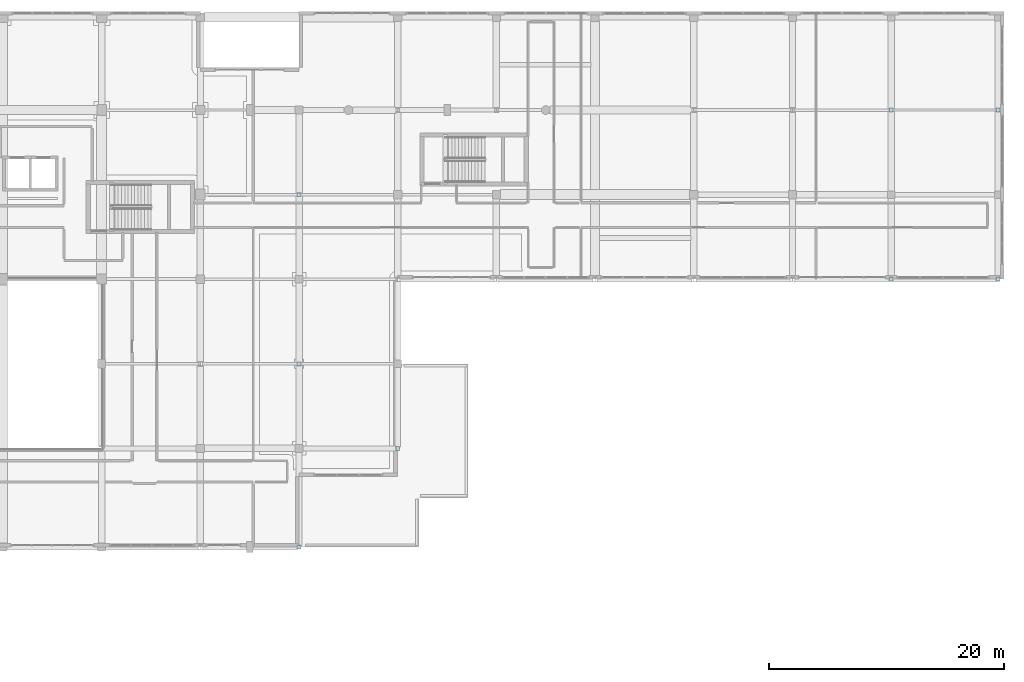
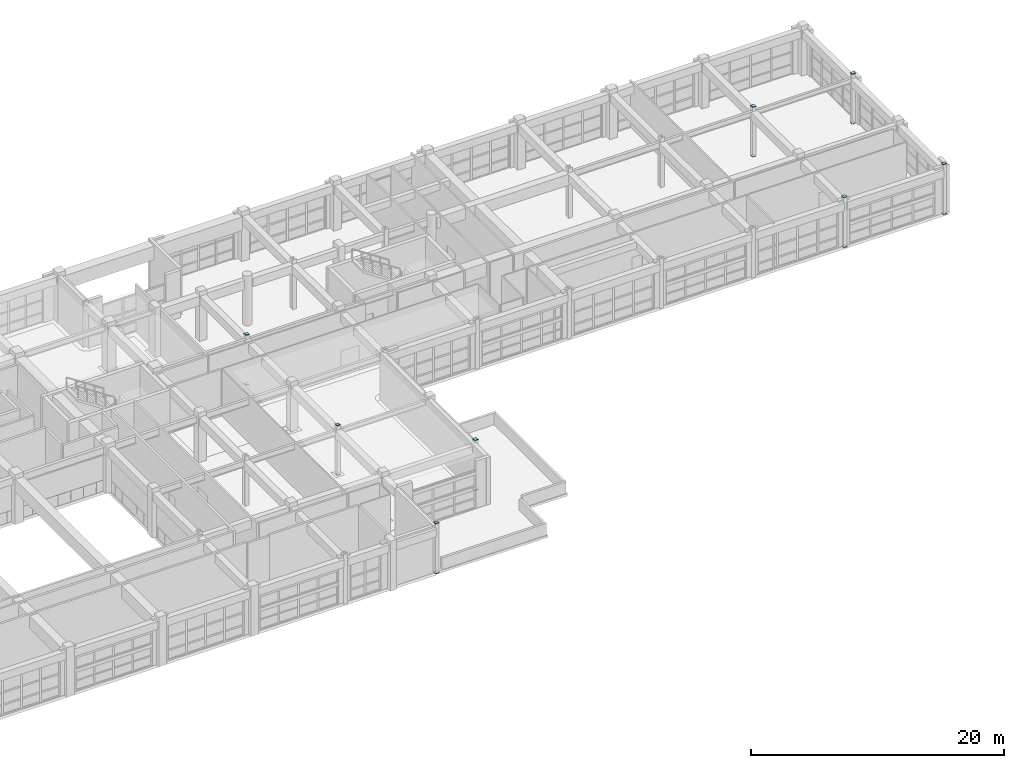
# One storey, part 102 of 123: 16 plates.
"""IFC4 building model written with IfcOpenShell, lengths in metres."""

from ifc_helpers import new_model, si_unit, direction, frame, origin, origin_2d, place, context, subcontext, project, spatial, rectangle, extrude, material, layer, layer_set, type_object, element, save


model = new_model("IFC4")

# Units and contexts
model_context = context("Model", 3, precision=1e-05, world=origin(), true_north=direction((0.0, 1.0)))
body_context = subcontext(model_context, "Body", "Model", "MODEL_VIEW")
ifc_project = project(units=[si_unit("LENGTHUNIT", "METRE"), si_unit("AREAUNIT", "SQUARE_METRE"), si_unit("VOLUMEUNIT", "CUBIC_METRE"), si_unit("PLANEANGLEUNIT", "RADIAN"), si_unit("MASSUNIT", "GRAM", prefix="KILO")], contexts=[model_context])

# Site, building, storey
site_placement = place(None, origin())
site = spatial("IfcSite", under=ifc_project, at=site_placement, CompositionType="ELEMENT")
building_placement = place(site_placement, origin())
building = spatial("IfcBuilding", under=site, at=building_placement, Name="Quendrovan Civic Courthouse", CompositionType="ELEMENT")
storey_placement = place(building_placement, frame((0.0, 0.0, 5.39990234375)))
storey = spatial("IfcBuildingStorey", under=building, at=storey_placement, Name="L02", CompositionType="ELEMENT", Elevation=5.39990234375)

# Plates
ifc_material = material(Name="Steel ASTM A572 Grade 50", Category="steel")
ifc_layer = layer(ifc_material, 0.011962890625, Name="Steel ASTM A572 Grade 50")
ifc_layer_set = layer_set([ifc_layer], Name="Steel ASTM A572 Grade 50")
plate_type = type_object("IfcPlateType", Name="PLT-CAP-12", PredefinedType="SHEET", material=ifc_layer_set)
for number, where, z_axis, x_axis, name in (
    (1, (100.800048828125, 64.800048828125, 4.80029296875), (0.0, 0.0, 1.0), (1.0, 0.0, 0.0), "L02 Hollow Column End Cap Plate COL-L02-13-J-TOP"),
    (2, (100.800048828125, 64.800048828125, -0.01171875), (0.0, 0.0, 1.0), (1.0, 0.0, 0.0), "L02 Hollow Column End Cap Plate COL-L02-13-J-BOT"),
    (3, (100.800048828125, 80.39990234375, 4.80029296875), (0.0, 0.0, 1.0), (1.0, 0.0, 0.0), "L02 Hollow Column End Cap Plate COL-L02-13-L-TOP"),
    (4, (100.800048828125, 80.39990234375, -0.01171875), (0.0, 0.0, 1.0), (1.0, 0.0, 0.0), "L02 Hollow Column End Cap Plate COL-L02-13-L-BOT"),
    (5, (100.800048828125, 94.800048828125, 4.80029296875), (0.0, 0.0, 1.0), (1.0, 0.0, 0.0), "L02 Hollow Column End Cap Plate COL-L02-13-N-TOP"),
    (6, (100.800048828125, 94.800048828125, -0.01171875), (0.0, 0.0, 1.0), (1.0, 0.0, 0.0), "L02 Hollow Column End Cap Plate COL-L02-13-N-BOT"),
    (7, (109.199951171875, 73.199951171875, 4.80029296875), (0.0, 0.0, 1.0), (1.0, 0.0, 0.0), "L02 Hollow Column End Cap Plate COL-L02-14-K-TOP"),
    (8, (109.199951171875, 73.199951171875, -0.01171875), (0.0, 0.0, 1.0), (1.0, 0.0, 0.0), "L02 Hollow Column End Cap Plate COL-L02-14-K-BOT"),
    (9, (151.199951171875, 87.60009765625, 4.80029296875), (0.0, 0.0, 1.0), (1.0, 0.0, 0.0), "L02 Hollow Column End Cap Plate COL-L02-19-M-TOP"),
    (10, (151.199951171875, 87.60009765625, -0.01171875), (0.0, 0.0, 1.0), (1.0, 0.0, 0.0), "L02 Hollow Column End Cap Plate COL-L02-19-M-BOT"),
    (11, (151.199951171875, 102.0, 4.80029296875), (0.0, 0.0, 1.0), (1.0, 0.0, 0.0), "L02 Hollow Column End Cap Plate COL-L02-19-P-TOP"),
    (12, (151.199951171875, 102.0, -0.01171875), (0.0, 0.0, 1.0), (1.0, 0.0, 0.0), "L02 Hollow Column End Cap Plate COL-L02-19-P-BOT"),
    (13, (160.300048828125, 87.60009765625, 4.80029296875), (0.0, 0.0, 1.0), (1.0, 0.0, 0.0), "L02 Hollow Column End Cap Plate COL-L02-20-M-TOP"),
    (14, (160.300048828125, 87.60009765625, -0.01171875), (0.0, 0.0, 1.0), (1.0, 0.0, 0.0), "L02 Hollow Column End Cap Plate COL-L02-20-M-BOT"),
    (15, (160.300048828125, 102.0, 4.80029296875), (0.0, 0.0, 1.0), (1.0, 0.0, 0.0), "L02 Hollow Column End Cap Plate COL-L02-20-P-TOP"),
    (16, (160.300048828125, 102.0, -0.01171875), (0.0, 0.0, 1.0), (1.0, 0.0, 0.0), "L02 Hollow Column End Cap Plate COL-L02-20-P-BOT"),
):
    element("IfcPlate", number, at=place(storey_placement, frame(where, z_axis=z_axis, x_axis=x_axis)), inside=storey, type_object=plate_type, Name=name, PredefinedType="SHEET", context=body_context, shape_type="SweptSolid", body=[
        extrude(rectangle(XDim=0.320068359375, YDim=0.320068359375, at=origin_2d()), origin(), (0.0, 0.0, 1.0), 0.011962890625),
    ])

save(model, "model.ifc")
